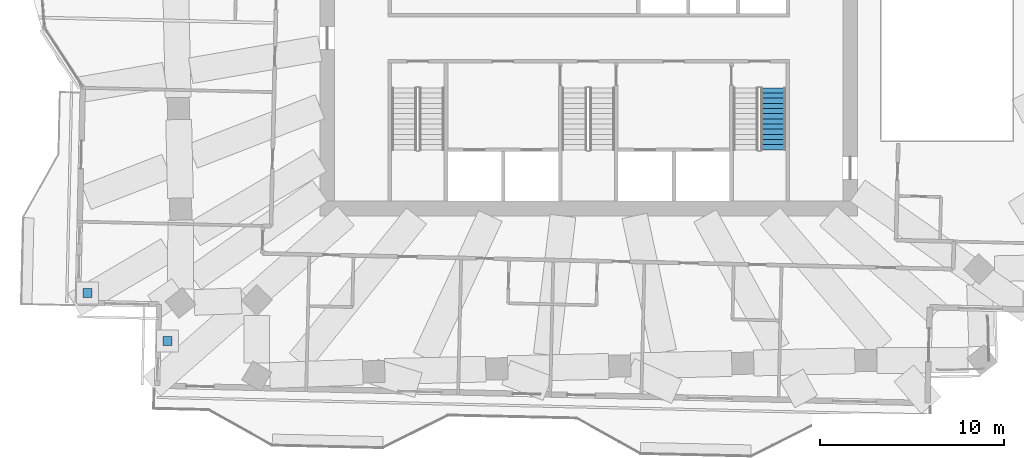
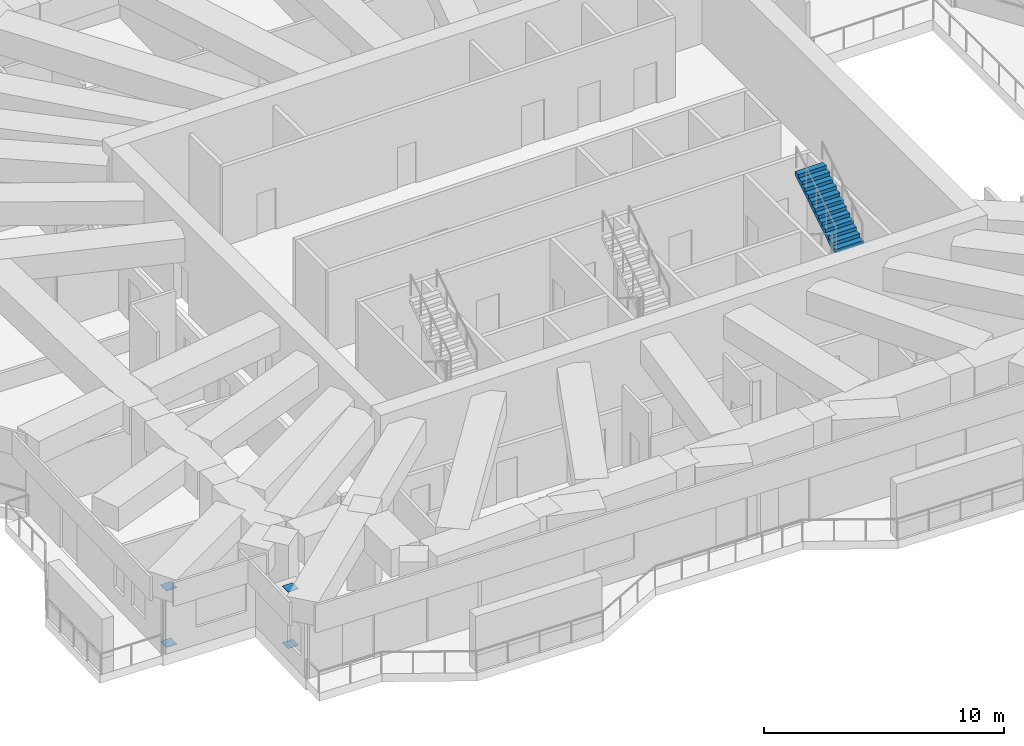
# One storey, part 14 of 19: 4 discrete accessories, 1 stair flight, 1 element without a shape of its own.
"""IFC4 building model written with IfcOpenShell, lengths in metres."""

from ifc_helpers import new_model, si_unit, direction, frame, origin, origin_2d, place, context, subcontext, project, spatial, polyline, rectangle, outline, extrude, material, layer, layer_set, type_object, element, aggregate, save


model = new_model("IFC4")

# Units and contexts
model_context = context("Model", 3, precision=1e-05, world=origin(), true_north=direction((0.0, 1.0)))
body_context = subcontext(model_context, "Body", "Model", "MODEL_VIEW")
ifc_project = project(units=[si_unit("LENGTHUNIT", "METRE"), si_unit("AREAUNIT", "SQUARE_METRE"), si_unit("VOLUMEUNIT", "CUBIC_METRE"), si_unit("PLANEANGLEUNIT", "RADIAN"), si_unit("MASSUNIT", "GRAM", prefix="KILO")], contexts=[model_context])

# Site, building, storey
site_placement = place(None, origin())
site = spatial("IfcSite", under=ifc_project, at=site_placement, CompositionType="ELEMENT")
building_placement = place(site_placement, origin())
building = spatial("IfcBuilding", under=site, at=building_placement, Name="Mangrove Gate Tower", CompositionType="ELEMENT")
storey_placement = place(building_placement, frame((0.0, 0.0, 193.300048828125)))
storey = spatial("IfcBuildingStorey", under=building, at=storey_placement, Name="L49", CompositionType="ELEMENT", Elevation=193.300048828125)

# Stair, stair flight
ifc_material_1 = material(Name="Concrete C40/50", Category="concrete")
stair_type = type_object("IfcStairType", Name="Core stair 1350", PredefinedType="HALF_TURN_STAIR", material=ifc_material_1)
stair_placement = place(storey_placement, origin())
stair = element("IfcStair", 1, at=stair_placement, inside=storey, type_object=stair_type, Name="L49 Stair 3", PredefinedType="HALF_TURN_STAIR")
ifc_material_2 = material(Name="Concrete C40/50", Category="concrete")
stair_flight_type = type_object("IfcStairFlightType", Name="Core stair flight 1350", PredefinedType="STRAIGHT", material=ifc_material_2)
stair_flight_placement = place(storey_placement, frame((10.02490234375, -8.010009765625, 2.300048828125), z_axis=(0.0, 0.0, 1.0), x_axis=(0.0, 1.0, 0.0)))
stair_flight = element("IfcStairFlight", 2, at=stair_flight_placement, type_object=stair_flight_type, Name="ST3 flight 2", NumberOfRisers=13, NumberOfTreads=12, PredefinedType="STRAIGHT", RiserHeight=0.176923077, TreadLength=0.28, context=body_context, shape_type="SweptSolid", body=[
    extrude(outline(polyline([(0.0, 0.0), (0.0, 0.177001953125), (0.280029296875, 0.177001953125), (0.280029296875, 0.353759765625), (0.56005859375, 0.353759765625), (0.56005859375, 0.53076171875), (0.840087890625, 0.53076171875), (0.840087890625, 0.707763671875), (1.1201171875, 0.707763671875), (1.1201171875, 0.884521484375), (1.39990234375, 0.884521484375), (1.39990234375, 1.0615234375), (1.679931640625, 1.0615234375), (1.679931640625, 1.238525390625), (1.9599609375, 1.238525390625), (1.9599609375, 1.415283203125), (2.239990234375, 1.415283203125), (2.239990234375, 1.59228515625), (2.52001953125, 1.59228515625), (2.52001953125, 1.769287109375), (2.800048828125, 1.769287109375), (2.800048828125, 1.946044921875), (3.080078125, 1.946044921875), (3.080078125, 2.123046875), (3.360107421875, 2.123046875), (3.360107421875, 2.300048828125), (3.360107421875, 1.94580078125), (0.280517578125, 0.0), (0.0, 0.0)])), frame((0.0, 0.675048828125, 0.0), z_axis=(0.0, -1.0, 0.0), x_axis=(1.0, 0.0, 0.0)), (0.0, 0.0, 1.0), 1.35009765625),
])
aggregate(stair, [stair_flight])

# Discrete accessories
ifc_material_3 = material(Name="Steel S355J2", Category="steel")
ifc_layer = layer(ifc_material_3, 0.02490234375)
ifc_layer_set = layer_set([ifc_layer], Name="Strut end plate 500x500x25")
discrete_accessory_type = type_object("IfcDiscreteAccessoryType", Name="Strut end plate 500x500x25", PredefinedType="ANCHORPLATE", material=ifc_layer_set)
for number, where, z_axis, x_axis, name in (
    (3, (-27.210693359375, -15.78125, -0.012451171875), (0.0, 0.0, 1.0), (1.0, 0.0, 0.0), "Strut end plate L49 TS02 A"),
    (4, (-27.210693359375, -15.78125, 2.857421875), (0.0, 0.0, 1.0), (1.0, 0.0, 0.0), "Strut end plate L49 TS02 B"),
    (5, (-22.86767578125, -18.3955078125, -0.012451171875), (0.0, 0.0, 1.0), (1.0, 0.0, 0.0), "Strut end plate L49 TS04 A"),
    (6, (-22.86767578125, -18.3955078125, 2.857421875), (0.0, 0.0, 1.0), (1.0, 0.0, 0.0), "Strut end plate L49 TS04 B"),
):
    element("IfcDiscreteAccessory", number, at=place(storey_placement, frame(where, z_axis=z_axis, x_axis=x_axis)), inside=storey, type_object=discrete_accessory_type, Name=name, PredefinedType="ANCHORPLATE", context=body_context, shape_type="SweptSolid", body=[
        extrude(rectangle(XDim=0.5, YDim=0.5, at=origin_2d()), origin(), (0.0, 0.0, 1.0), 0.02490234375),
    ])

save(model, "model.ifc")
